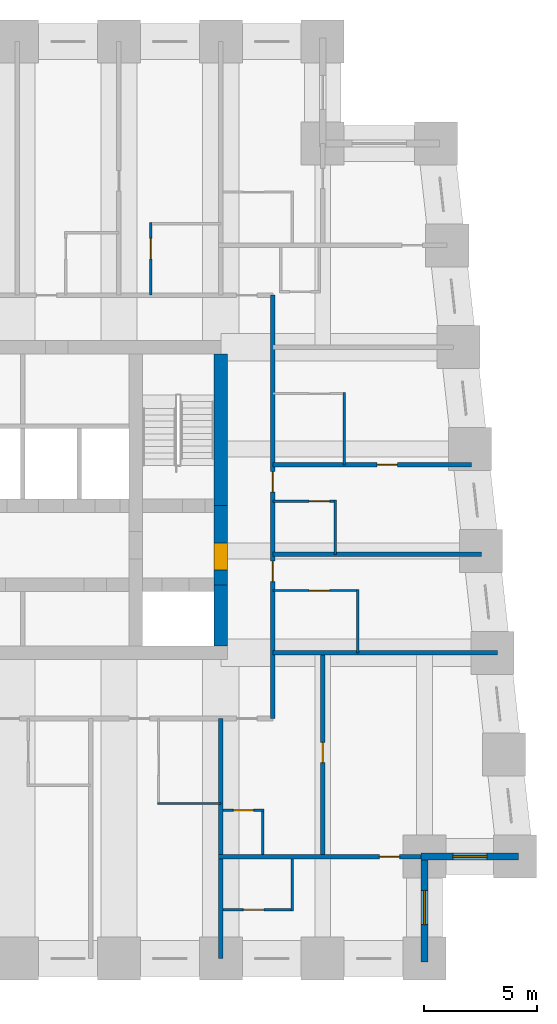
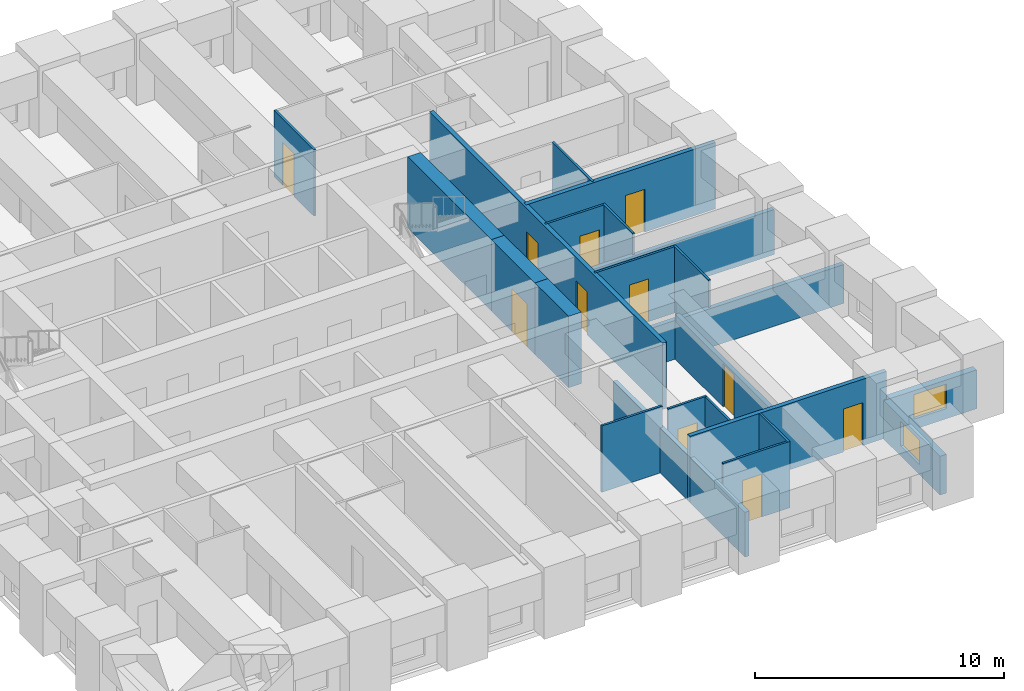
# One storey, part 5 of 8: 23 walls, 11 doors, 2 windows, 13 openings.
"""IFC4 building model written with IfcOpenShell, lengths in metres."""

from ifc_helpers import new_model, si_unit, direction, frame, frame_2d, origin, place, context, subcontext, project, spatial, rectangle, extrude, material, layer, layer_set, type_object, element, fill, save


model = new_model("IFC4")

# Units and contexts
model_context = context("Model", 3, precision=1e-05, world=origin(), true_north=direction((0.0, 1.0)))
body_context = subcontext(model_context, "Body", "Model", "MODEL_VIEW")
ifc_project = project(units=[si_unit("LENGTHUNIT", "METRE"), si_unit("AREAUNIT", "SQUARE_METRE"), si_unit("VOLUMEUNIT", "CUBIC_METRE"), si_unit("PLANEANGLEUNIT", "RADIAN"), si_unit("MASSUNIT", "GRAM", prefix="KILO")], contexts=[model_context])

# Site, building, storey
site_placement = place(None, origin())
site = spatial("IfcSite", under=ifc_project, at=site_placement, CompositionType="ELEMENT")
building_placement = place(site_placement, origin())
building = spatial("IfcBuilding", under=site, at=building_placement, Name="Kilele Tower Hotel", CompositionType="ELEMENT")
storey_placement = place(building_placement, frame((0.0, 0.0, 207.89990234375)))
storey = spatial("IfcBuildingStorey", under=building, at=storey_placement, Name="L54", CompositionType="ELEMENT", Elevation=207.89990234375)

# Walls
ifc_material_1 = material(Name="Moisture-resistant board")
ifc_layer_1 = layer(ifc_material_1, 0.10009765625)
ifc_layer_set_1 = layer_set([ifc_layer_1], Name="Moisture-resistant board")
wall_type_1 = type_object("IfcWallType", Name="Bathroom partition 100", PredefinedType="PLUMBINGWALL", material=ifc_layer_set_1)
for number, where, z_axis, x_axis, name in (
    (1, (33.199951171875, 6.85009765625, 0.0), (0.0, 0.0, 1.0), (1.0, 0.0, 0.0), "Bathroom partition 100 L54"),
    (2, (42.050048828125, 13.5, 0.0), (0.0, 0.0, 1.0), (0.0, 1.0, 0.0), "Bathroom partition 100 L54"),
):
    element("IfcWall", number, at=place(storey_placement, frame(where, z_axis=z_axis, x_axis=x_axis)), inside=storey, type_object=wall_type_1, Name=name, PredefinedType="PLUMBINGWALL", context=body_context, shape_type="SweptSolid", body=[
        extrude(rectangle(XDim=2.800048828125, YDim=0.10009765625, at=frame_2d((1.39990234375, 0.0))), origin(), (0.0, 0.0, 1.0), 3.25),
    ])

# Wall, opening, door
wall_1_placement = place(storey_placement, frame((38.300048828125, 16.25, 0.0), z_axis=(0.0, 0.0, 1.0), x_axis=(1.0, 0.0, 0.0)))
wall_1 = element("IfcWall", 3, at=wall_1_placement, inside=storey, type_object=wall_type_1, Name="Bathroom partition 100 L54", PredefinedType="PLUMBINGWALL", context=body_context, shape_type="SweptSolid", body=[
    extrude(rectangle(XDim=3.800048828125, YDim=0.10009765625, at=frame_2d((1.89990234375, 0.0))), origin(), (0.0, 0.0, 1.0), 3.25),
])
opening_1_placement = place(wall_1_placement, frame((1.60009765625, 0.0, 0.0)))
opening_1 = element("IfcOpeningElement", 4, at=opening_1_placement, cuts=wall_1, Name="Opening D2A", PredefinedType="OPENING", context=body_context, shape_type="SweptSolid", body=[
    extrude(rectangle(XDim=0.89990234375, YDim=2.10009765625, at=frame_2d((0.449951171875, 1.050048828125))), frame((0.0, 0.06005859375, 0.0), z_axis=(0.0, -1.0, 0.0), x_axis=(1.0, 0.0, 0.0)), (0.0, 0.0, 1.0), 0.1201171875),
])
ifc_material_2 = material(Name="Timber door leaf in hardwood frame", Category="wood")
door_type_1 = type_object("IfcDoorType", Name="Bathroom door 900", OperationType="SINGLE_SWING_LEFT", PredefinedType="DOOR", material=ifc_material_2)
door_1_placement = place(opening_1_placement, origin())
door_1 = element("IfcDoor", 5, at=door_1_placement, inside=storey, type_object=door_type_1, Name="Bathroom door 5406B", OperationType="SINGLE_SWING_LEFT", OverallHeight=2.10009765625, OverallWidth=0.89990234375, PredefinedType="DOOR", context=body_context, shape_type="SweptSolid", body=[
    extrude(rectangle(XDim=0.89990234375, YDim=2.10009765625, at=frame_2d((0.449951171875, 1.050048828125))), frame((0.0, 0.02490234375, 0.0), z_axis=(0.0, -1.0, 0.0), x_axis=(1.0, 0.0, 0.0)), (0.0, 0.0, 1.0), 0.050048828125),
])
fill(opening_1, door_1)

# Wall
wall_2_placement = place(storey_placement, frame((41.050048828125, 17.85009765625, 0.0), z_axis=(0.0, 0.0, 1.0), x_axis=(0.0, 1.0, 0.0)))
element("IfcWall", 6, at=wall_2_placement, inside=storey, type_object=wall_type_1, Name="Bathroom partition 100 L54", PredefinedType="PLUMBINGWALL", context=body_context, shape_type="SweptSolid", body=[
    extrude(rectangle(XDim=2.39990234375, YDim=0.10009765625, at=frame_2d((1.199951171875, 0.0))), origin(), (0.0, 0.0, 1.0), 3.25),
])

# Wall, opening, door
wall_3_placement = place(storey_placement, frame((38.300048828125, 20.199951171875, 0.0), z_axis=(0.0, 0.0, 1.0), x_axis=(1.0, 0.0, 0.0)))
wall_3 = element("IfcWall", 7, at=wall_3_placement, inside=storey, type_object=wall_type_1, Name="Bathroom partition 100 L54", PredefinedType="PLUMBINGWALL", context=body_context, shape_type="SweptSolid", body=[
    extrude(rectangle(XDim=2.800048828125, YDim=0.10009765625, at=frame_2d((1.39990234375, 0.0))), origin(), (0.0, 0.0, 1.0), 3.25),
])
opening_2_placement = place(wall_3_placement, frame((1.60009765625, 0.0, 0.0)))
opening_2 = element("IfcOpeningElement", 8, at=opening_2_placement, cuts=wall_3, Name="Opening D2A", PredefinedType="OPENING", context=body_context, shape_type="SweptSolid", body=[
    extrude(rectangle(XDim=0.89990234375, YDim=2.10009765625, at=frame_2d((0.449951171875, 1.050048828125))), frame((0.0, 0.06005859375, 0.0), z_axis=(0.0, -1.0, 0.0), x_axis=(1.0, 0.0, 0.0)), (0.0, 0.0, 1.0), 0.1201171875),
])
door_2_placement = place(opening_2_placement, origin())
door_2 = element("IfcDoor", 9, at=door_2_placement, inside=storey, type_object=door_type_1, Name="Bathroom door 5407B", OperationType="SINGLE_SWING_LEFT", OverallHeight=2.10009765625, OverallWidth=0.89990234375, PredefinedType="DOOR", context=body_context, shape_type="SweptSolid", body=[
    extrude(rectangle(XDim=0.89990234375, YDim=2.10009765625, at=frame_2d((0.449951171875, 1.050048828125))), frame((0.0, 0.02490234375, 0.0), z_axis=(0.0, -1.0, 0.0), x_axis=(1.0, 0.0, 0.0)), (0.0, 0.0, 1.0), 0.050048828125),
])
fill(opening_2, door_2)

# Wall
wall_4_placement = place(storey_placement, frame((41.449951171875, 21.800048828125, 0.0), z_axis=(0.0, 0.0, 1.0), x_axis=(0.0, 1.0, 0.0)))
element("IfcWall", 10, at=wall_4_placement, inside=storey, type_object=wall_type_1, Name="Bathroom partition 100 L54", PredefinedType="PLUMBINGWALL", context=body_context, shape_type="SweptSolid", body=[
    extrude(rectangle(XDim=3.199951171875, YDim=0.10009765625, at=frame_2d((1.60009765625, 0.0))), origin(), (0.0, 0.0, 1.0), 3.25),
])

# Wall, opening, door
wall_5_placement = place(storey_placement, frame((32.89990234375, 29.300048828125, 0.0), z_axis=(0.0, 0.0, 1.0), x_axis=(0.0, 1.0, 0.0)))
wall_5 = element("IfcWall", 11, at=wall_5_placement, inside=storey, type_object=wall_type_1, Name="Bathroom partition 100 L54", PredefinedType="PLUMBINGWALL", context=body_context, shape_type="SweptSolid", body=[
    extrude(rectangle(XDim=3.199951171875, YDim=0.10009765625, at=frame_2d((1.60009765625, 0.0))), origin(), (0.0, 0.0, 1.0), 3.25),
])
opening_3_placement = place(wall_5_placement, frame((1.60009765625, 0.0, 0.0)))
opening_3 = element("IfcOpeningElement", 12, at=opening_3_placement, cuts=wall_5, Name="Opening D2A", PredefinedType="OPENING", context=body_context, shape_type="SweptSolid", body=[
    extrude(rectangle(XDim=0.89990234375, YDim=2.10009765625, at=frame_2d((0.449951171875, 1.050048828125))), frame((0.0, 0.06005859375, 0.0), z_axis=(0.0, -1.0, 0.0), x_axis=(1.0, 0.0, 0.0)), (0.0, 0.0, 1.0), 0.1201171875),
])
door_3_placement = place(opening_3_placement, origin())
door_3 = element("IfcDoor", 13, at=door_3_placement, inside=storey, type_object=door_type_1, Name="Bathroom door 5413B", OperationType="SINGLE_SWING_LEFT", OverallHeight=2.10009765625, OverallWidth=0.89990234375, PredefinedType="DOOR", context=body_context, shape_type="SweptSolid", body=[
    extrude(rectangle(XDim=0.89990234375, YDim=2.10009765625, at=frame_2d((0.449951171875, 1.050048828125))), frame((0.0, 0.02490234375, 0.0), z_axis=(0.0, -1.0, 0.0), x_axis=(1.0, 0.0, 0.0)), (0.0, 0.0, 1.0), 0.050048828125),
])
fill(opening_3, door_3)

# Wall
wall_6_placement = place(storey_placement, frame((37.85009765625, 4.60009765625, 0.0), z_axis=(0.0, 0.0, 1.0), x_axis=(0.0, 1.0, 0.0)))
element("IfcWall", 14, at=wall_6_placement, inside=storey, type_object=wall_type_1, Name="Bathroom partition 100 L54", PredefinedType="PLUMBINGWALL", context=body_context, shape_type="SweptSolid", body=[
    extrude(rectangle(XDim=2.0, YDim=0.10009765625, at=frame_2d((1.0, 0.0))), origin(), (0.0, 0.0, 1.0), 3.25),
])

# Wall, opening, door
wall_7_placement = place(storey_placement, frame((36.10009765625, 6.550048828125, 0.0), z_axis=(0.0, 0.0, 1.0), x_axis=(1.0, 0.0, 0.0)))
wall_7 = element("IfcWall", 15, at=wall_7_placement, inside=storey, type_object=wall_type_1, Name="Bathroom partition 100 L54", PredefinedType="PLUMBINGWALL", context=body_context, shape_type="SweptSolid", body=[
    extrude(rectangle(XDim=1.7998046875, YDim=0.10009765625, at=frame_2d((0.89990234375, 0.0))), origin(), (0.0, 0.0, 1.0), 3.25),
])
opening_4_placement = place(wall_7_placement, frame((0.449951171875, 0.0, 0.0)))
opening_4 = element("IfcOpeningElement", 16, at=opening_4_placement, cuts=wall_7, Name="Opening D2A", PredefinedType="OPENING", context=body_context, shape_type="SweptSolid", body=[
    extrude(rectangle(XDim=0.89990234375, YDim=2.10009765625, at=frame_2d((0.449951171875, 1.050048828125))), frame((0.0, 0.06005859375, 0.0), z_axis=(0.0, -1.0, 0.0), x_axis=(1.0, 0.0, 0.0)), (0.0, 0.0, 1.0), 0.1201171875),
])
door_4_placement = place(opening_4_placement, origin())
door_4 = element("IfcDoor", 17, at=door_4_placement, inside=storey, type_object=door_type_1, Name="Bathroom door 5419P", OperationType="SINGLE_SWING_LEFT", OverallHeight=2.10009765625, OverallWidth=0.89990234375, PredefinedType="DOOR", context=body_context, shape_type="SweptSolid", body=[
    extrude(rectangle(XDim=0.89990234375, YDim=2.10009765625, at=frame_2d((0.449951171875, 1.050048828125))), frame((0.0, 0.02490234375, 0.0), z_axis=(0.0, -1.0, 0.0), x_axis=(1.0, 0.0, 0.0)), (0.0, 0.0, 1.0), 0.050048828125),
])
fill(opening_4, door_4)

# Wall
wall_8_placement = place(storey_placement, frame((39.14990234375, 4.39990234375, 0.0), z_axis=(0.0, 0.0, 1.0), x_axis=(0.0, -1.0, 0.0)))
element("IfcWall", 18, at=wall_8_placement, inside=storey, type_object=wall_type_1, Name="Bathroom partition 100 L54", PredefinedType="PLUMBINGWALL", context=body_context, shape_type="SweptSolid", body=[
    extrude(rectangle(XDim=2.2998046875, YDim=0.10009765625, at=frame_2d((1.14990234375, 0.0))), origin(), (0.0, 0.0, 1.0), 3.25),
])

# Wall, opening, door
wall_9_placement = place(storey_placement, frame((36.10009765625, 2.14990234375, 0.0), z_axis=(0.0, 0.0, 1.0), x_axis=(1.0, 0.0, 0.0)))
wall_9 = element("IfcWall", 19, at=wall_9_placement, inside=storey, type_object=wall_type_1, Name="Bathroom partition 100 L54", PredefinedType="PLUMBINGWALL", context=body_context, shape_type="SweptSolid", body=[
    extrude(rectangle(XDim=3.099853515625, YDim=0.10009765625, at=frame_2d((1.5498046875, 0.0))), origin(), (0.0, 0.0, 1.0), 3.25),
])
opening_5_placement = place(wall_9_placement, frame((1.7998046875, 0.0, 0.0), z_axis=(0.0, 0.0, 1.0), x_axis=(-1.0, 0.0, 0.0)))
opening_5 = element("IfcOpeningElement", 20, at=opening_5_placement, cuts=wall_9, Name="Opening D2A", PredefinedType="OPENING", context=body_context, shape_type="SweptSolid", body=[
    extrude(rectangle(XDim=0.89990234375, YDim=2.10009765625, at=frame_2d((0.449951171875, 1.050048828125))), frame((0.0, 0.06005859375, 0.0), z_axis=(0.0, -1.0, 0.0), x_axis=(1.0, 0.0, 0.0)), (0.0, 0.0, 1.0), 0.1201171875),
])
door_5_placement = place(opening_5_placement, origin())
door_5 = element("IfcDoor", 21, at=door_5_placement, inside=storey, type_object=door_type_1, Name="Bathroom door 5421B", OperationType="SINGLE_SWING_RIGHT", OverallHeight=2.10009765625, OverallWidth=0.89990234375, PredefinedType="DOOR", context=body_context, shape_type="SweptSolid", body=[
    extrude(rectangle(XDim=0.89990234375, YDim=2.10009765625, at=frame_2d((0.449951171875, 1.050048828125))), frame((0.0, 0.02490234375, 0.0), z_axis=(0.0, -1.0, 0.0), x_axis=(1.0, 0.0, 0.0)), (0.0, 0.0, 1.0), 0.050048828125),
])
fill(opening_5, door_5)

# Wall
ifc_material_3 = material(Name="Concrete C70/85", Category="concrete")
ifc_layer_2 = layer(ifc_material_3, 0.60009765625)
ifc_layer_set_2 = layer_set([ifc_layer_2], Name="Concrete C70/85")
wall_type_2 = type_object("IfcWallType", Name="Core wall 600 C70/85", PredefinedType="SHEAR", material=ifc_layer_set_2)
wall_10_placement = place(storey_placement, frame((36.0, 13.800048828125, 0.0), z_axis=(0.0, 0.0, 1.0), x_axis=(0.0, 1.0, 0.0)))
element("IfcWall", 22, at=wall_10_placement, inside=storey, type_object=wall_type_2, Name="Core wall E1 L54", PredefinedType="SHEAR", context=body_context, shape_type="SweptSolid", body=[
    extrude(rectangle(XDim=2.699951171875, YDim=0.60009765625, at=frame_2d((1.35009765625, 0.0))), origin(), (0.0, 0.0, 1.0), 3.5),
])

# Wall, opening, door
wall_11_placement = place(storey_placement, frame((36.0, 16.5, 0.0), z_axis=(0.0, 0.0, 1.0), x_axis=(0.0, 1.0, 0.0)))
wall_11 = element("IfcWall", 23, at=wall_11_placement, inside=storey, type_object=wall_type_2, Name="Core wall E2 L54", PredefinedType="SHEAR", context=body_context, shape_type="SweptSolid", body=[
    extrude(rectangle(XDim=3.5, YDim=0.60009765625, at=frame_2d((1.75, 0.0))), origin(), (0.0, 0.0, 1.0), 3.5),
])
opening_6_placement = place(wall_11_placement, frame((0.64990234375, 0.0, 0.0)))
opening_6 = element("IfcOpeningElement", 24, at=opening_6_placement, cuts=wall_11, Name="Opening D4", PredefinedType="OPENING", context=body_context, shape_type="SweptSolid", body=[
    extrude(rectangle(XDim=1.199951171875, YDim=2.10009765625, at=frame_2d((0.60009765625, 1.050048828125))), frame((0.0, 0.31005859375, 0.0), z_axis=(0.0, -1.0, 0.0), x_axis=(1.0, 0.0, 0.0)), (0.0, 0.0, 1.0), 0.6201171875),
])
ifc_material_4 = material(Name="Timber door leaf in hardwood frame", Category="wood")
door_type_2 = type_object("IfcDoorType", Name="Firefighting lobby door 1200", OperationType="SINGLE_SWING_LEFT", PredefinedType="DOOR", material=ifc_material_4)
door_6_placement = place(opening_6_placement, origin())
door_6 = element("IfcDoor", 25, at=door_6_placement, inside=storey, type_object=door_type_2, Name="Lobby door L54", OperationType="SINGLE_SWING_LEFT", OverallHeight=2.10009765625, OverallWidth=1.199951171875, PredefinedType="DOOR", context=body_context, shape_type="SweptSolid", body=[
    extrude(rectangle(XDim=1.199951171875, YDim=2.10009765625, at=frame_2d((0.60009765625, 1.050048828125))), frame((0.0, 0.2998046875, 0.0), z_axis=(0.0, -1.0, 0.0), x_axis=(1.0, 0.0, 0.0)), (0.0, 0.0, 1.0), 0.599609375),
])
fill(opening_6, door_6)

# Wall
wall_12_placement = place(storey_placement, frame((36.0, 20.0, 0.0), z_axis=(0.0, 0.0, 1.0), x_axis=(0.0, 1.0, 0.0)))
element("IfcWall", 26, at=wall_12_placement, inside=storey, type_object=wall_type_2, Name="Core wall E3 L54", PredefinedType="SHEAR", context=body_context, shape_type="SweptSolid", body=[
    extrude(rectangle(XDim=6.699951171875, YDim=0.60009765625, at=frame_2d((3.35009765625, 0.0))), origin(), (0.0, 0.0, 1.0), 3.5),
])

# Wall, openings, doors
ifc_material_5 = material(Name="Blockwork, plastered both sides", Category="masonry")
ifc_layer_3 = layer(ifc_material_5, 0.199951171875)
ifc_layer_set_3 = layer_set([ifc_layer_3], Name="Blockwork, plastered both sides")
wall_type_3 = type_object("IfcWallType", Name="Corridor wall 200", PredefinedType="PARTITIONING", material=ifc_layer_set_3)
wall_13_placement = place(storey_placement, frame((38.300048828125, 10.60009765625, 0.0), z_axis=(0.0, 0.0, 1.0), x_axis=(0.0, 1.0, 0.0)))
wall_13 = element("IfcWall", 27, at=wall_13_placement, inside=storey, type_object=wall_type_3, Name="Corridor wall 200 L54", PredefinedType="PARTITIONING", context=body_context, shape_type="SweptSolid", body=[
    extrude(rectangle(XDim=18.699951171875, YDim=0.199951171875, at=frame_2d((9.35009765625, 0.0))), origin(), (0.0, 0.0, 1.0), 3.25),
])
opening_7_placement = place(wall_13_placement, frame((6.949951171875, 0.0, 0.0), z_axis=(0.0, 0.0, 1.0), x_axis=(-1.0, 0.0, 0.0)))
opening_7 = element("IfcOpeningElement", 28, at=opening_7_placement, cuts=wall_13, Name="Opening D1", PredefinedType="OPENING", context=body_context, shape_type="SweptSolid", body=[
    extrude(rectangle(XDim=0.89990234375, YDim=2.10009765625, at=frame_2d((0.449951171875, 1.050048828125))), frame((0.0, 0.10986328125, 0.0), z_axis=(0.0, -1.0, 0.0), x_axis=(1.0, 0.0, 0.0)), (0.0, 0.0, 1.0), 0.219970703125),
])
opening_8_placement = place(wall_13_placement, frame((10.89990234375, 0.0, 0.0), z_axis=(0.0, 0.0, 1.0), x_axis=(-1.0, 0.0, 0.0)))
opening_8 = element("IfcOpeningElement", 29, at=opening_8_placement, cuts=wall_13, Name="Opening D1", PredefinedType="OPENING", context=body_context, shape_type="SweptSolid", body=[
    extrude(rectangle(XDim=0.89990234375, YDim=2.10009765625, at=frame_2d((0.449951171875, 1.050048828125))), frame((0.0, 0.10986328125, 0.0), z_axis=(0.0, -1.0, 0.0), x_axis=(1.0, 0.0, 0.0)), (0.0, 0.0, 1.0), 0.219970703125),
])
ifc_material_6 = material(Name="Timber door leaf in hardwood frame", Category="wood")
door_type_3 = type_object("IfcDoorType", Name="Guest room entrance door 900", OperationType="SINGLE_SWING_LEFT", PredefinedType="DOOR", material=ifc_material_6)
door_7_placement = place(opening_7_placement, origin())
door_7 = element("IfcDoor", 30, at=door_7_placement, inside=storey, type_object=door_type_3, Name="Room entrance 5406", OperationType="SINGLE_SWING_LEFT", OverallHeight=2.10009765625, OverallWidth=0.89990234375, PredefinedType="DOOR", context=body_context, shape_type="SweptSolid", body=[
    extrude(rectangle(XDim=0.89990234375, YDim=2.10009765625, at=frame_2d((0.449951171875, 1.050048828125))), frame((0.0, 0.02490234375, 0.0), z_axis=(0.0, -1.0, 0.0), x_axis=(1.0, 0.0, 0.0)), (0.0, 0.0, 1.0), 0.050048828125),
])
fill(opening_7, door_7)
door_8_placement = place(opening_8_placement, origin())
door_8 = element("IfcDoor", 31, at=door_8_placement, inside=storey, type_object=door_type_3, Name="Room entrance 5407", OperationType="SINGLE_SWING_LEFT", OverallHeight=2.10009765625, OverallWidth=0.89990234375, PredefinedType="DOOR", context=body_context, shape_type="SweptSolid", body=[
    extrude(rectangle(XDim=0.89990234375, YDim=2.10009765625, at=frame_2d((0.449951171875, 1.050048828125))), frame((0.0, 0.02490234375, 0.0), z_axis=(0.0, -1.0, 0.0), x_axis=(1.0, 0.0, 0.0)), (0.0, 0.0, 1.0), 0.050048828125),
])
fill(opening_8, door_8)

# Wall, opening, door
ifc_material_7 = material(Name="Blockwork, plastered both sides", Category="masonry")
ifc_layer_4 = layer(ifc_material_7, 0.199951171875)
ifc_layer_set_4 = layer_set([ifc_layer_4], Name="Blockwork, plastered both sides")
wall_type_4 = type_object("IfcWallType", Name="Partition wall 200", PredefinedType="PARTITIONING", material=ifc_layer_set_4)
wall_14_placement = place(storey_placement, frame((40.5, 4.60009765625, 0.0), z_axis=(0.0, 0.0, 1.0), x_axis=(0.0, 1.0, 0.0)))
wall_14 = element("IfcWall", 32, at=wall_14_placement, inside=storey, type_object=wall_type_4, Name="Partition wall 200 L54", PredefinedType="PARTITIONING", context=body_context, shape_type="SweptSolid", body=[
    extrude(rectangle(XDim=8.7998046875, YDim=0.199951171875, at=frame_2d((4.39990234375, 0.0))), origin(), (0.0, 0.0, 1.0), 2.2001953125),
])
opening_9_placement = place(wall_14_placement, frame((4.050048828125, 0.0, 0.0)))
opening_9 = element("IfcOpeningElement", 33, at=opening_9_placement, cuts=wall_14, Name="Opening D3", PredefinedType="OPENING", context=body_context, shape_type="SweptSolid", body=[
    extrude(rectangle(XDim=0.89990234375, YDim=2.10009765625, at=frame_2d((0.449951171875, 1.050048828125))), frame((0.0, 0.10986328125, 0.0), z_axis=(0.0, -1.0, 0.0), x_axis=(1.0, 0.0, 0.0)), (0.0, 0.0, 1.0), 0.219970703125),
])
ifc_material_8 = material(Name="Timber door leaf in hardwood frame", Category="wood")
door_type_4 = type_object("IfcDoorType", Name="Suite internal door 900", OperationType="SINGLE_SWING_LEFT", PredefinedType="DOOR", material=ifc_material_8)
door_9_placement = place(opening_9_placement, origin())
door_9 = element("IfcDoor", 34, at=door_9_placement, inside=storey, type_object=door_type_4, Name="Suite door 5420", OperationType="SINGLE_SWING_RIGHT", OverallHeight=2.10009765625, OverallWidth=0.89990234375, PredefinedType="DOOR", context=body_context, shape_type="SweptSolid", body=[
    extrude(rectangle(XDim=0.89990234375, YDim=2.10009765625, at=frame_2d((0.449951171875, 1.050048828125))), frame((0.0, 0.02490234375, 0.0), z_axis=(0.0, -1.0, 0.0), x_axis=(1.0, 0.0, 0.0)), (0.0, 0.0, 1.0), 0.050048828125),
])
fill(opening_9, door_9)

# Wall
ifc_material_9 = material(Name="Blockwork, plastered both sides", Category="masonry")
ifc_layer_5 = layer(ifc_material_9, 0.199951171875)
ifc_layer_set_5 = layer_set([ifc_layer_5], Name="Blockwork, plastered both sides")
wall_type_5 = type_object("IfcWallType", Name="Party wall 200", PredefinedType="PARTITIONING", material=ifc_layer_set_5)
wall_15_placement = place(storey_placement, frame((38.300048828125, 17.85009765625, 0.0), z_axis=(0.0, 0.0, 1.0), x_axis=(1.0, 0.0, 0.0)))
element("IfcWall", 35, at=wall_15_placement, inside=storey, type_object=wall_type_5, Name="Party wall 200 L54", PredefinedType="PARTITIONING", context=body_context, shape_type="SweptSolid", body=[
    extrude(rectangle(XDim=9.215576171875, YDim=0.199951171875, at=frame_2d((4.60791015625, 0.0))), origin(), (0.0, 0.0, 1.0), 2.2001953125),
])

# Wall, opening, door
wall_16_placement = place(storey_placement, frame((38.300048828125, 21.800048828125, 0.0), z_axis=(0.0, 0.0, 1.0), x_axis=(1.0, 0.0, 0.0)))
wall_16 = element("IfcWall", 36, at=wall_16_placement, inside=storey, type_object=wall_type_5, Name="Party wall 200 L54", PredefinedType="PARTITIONING", context=body_context, shape_type="SweptSolid", body=[
    extrude(rectangle(XDim=8.77685546875, YDim=0.199951171875, at=frame_2d((4.388427734375, 0.0))), origin(), (0.0, 0.0, 1.0), 3.25),
])
opening_10_placement = place(wall_16_placement, frame((4.60009765625, 0.0, 0.0)))
opening_10 = element("IfcOpeningElement", 37, at=opening_10_placement, cuts=wall_16, Name="Opening D3", PredefinedType="OPENING", context=body_context, shape_type="SweptSolid", body=[
    extrude(rectangle(XDim=0.89990234375, YDim=2.10009765625, at=frame_2d((0.449951171875, 1.050048828125))), frame((0.0, 0.10986328125, 0.0), z_axis=(0.0, -1.0, 0.0), x_axis=(1.0, 0.0, 0.0)), (0.0, 0.0, 1.0), 0.219970703125),
])
door_10_placement = place(opening_10_placement, origin())
door_10 = element("IfcDoor", 38, at=door_10_placement, inside=storey, type_object=door_type_4, Name="Suite door 5408", OperationType="SINGLE_SWING_LEFT", OverallHeight=2.10009765625, OverallWidth=0.89990234375, PredefinedType="DOOR", context=body_context, shape_type="SweptSolid", body=[
    extrude(rectangle(XDim=0.89990234375, YDim=2.10009765625, at=frame_2d((0.449951171875, 1.050048828125))), frame((0.0, 0.02490234375, 0.0), z_axis=(0.0, -1.0, 0.0), x_axis=(1.0, 0.0, 0.0)), (0.0, 0.0, 1.0), 0.050048828125),
])
fill(opening_10, door_10)

# Walls
wall_17_placement = place(storey_placement, frame((38.300048828125, 13.5, 0.0), z_axis=(0.0, 0.0, 1.0), x_axis=(1.0, 0.0, 0.0)))
element("IfcWall", 39, at=wall_17_placement, inside=storey, type_object=wall_type_5, Name="Party wall 200 L54", PredefinedType="PARTITIONING", context=body_context, shape_type="SweptSolid", body=[
    extrude(rectangle(XDim=9.921142578125, YDim=0.199951171875, at=frame_2d((4.96044921875, 0.0))), origin(), (0.0, 0.0, 1.0), 1.900146484375),
])
wall_18_placement = place(storey_placement, frame((36.0, 10.60009765625, 0.0), z_axis=(0.0, 0.0, 1.0), x_axis=(0.0, -1.0, 0.0)))
element("IfcWall", 40, at=wall_18_placement, inside=storey, type_object=wall_type_5, Name="Party wall 200 L54", PredefinedType="PARTITIONING", context=body_context, shape_type="SweptSolid", body=[
    extrude(rectangle(XDim=10.60009765625, YDim=0.199951171875, at=frame_2d((5.300048828125, 0.0))), origin(), (0.0, 0.0, 1.0), 2.2001953125),
])

# Wall, opening, door
wall_19_placement = place(storey_placement, frame((35.89990234375, 4.5, 0.0), z_axis=(0.0, 0.0, 1.0), x_axis=(1.0, 0.0, 0.0)))
wall_19 = element("IfcWall", 41, at=wall_19_placement, inside=storey, type_object=wall_type_5, Name="Party wall 200 L54", PredefinedType="PARTITIONING", context=body_context, shape_type="SweptSolid", body=[
    extrude(rectangle(XDim=9.10009765625, YDim=0.199951171875, at=frame_2d((4.550048828125, 0.0))), origin(), (0.0, 0.0, 1.0), 3.25),
])
opening_11_placement = place(wall_19_placement, frame((7.10009765625, 0.0, 0.0)))
opening_11 = element("IfcOpeningElement", 42, at=opening_11_placement, cuts=wall_19, Name="Opening D3", PredefinedType="OPENING", context=body_context, shape_type="SweptSolid", body=[
    extrude(rectangle(XDim=0.89990234375, YDim=2.10009765625, at=frame_2d((0.449951171875, 1.050048828125))), frame((0.0, 0.10986328125, 0.0), z_axis=(0.0, -1.0, 0.0), x_axis=(1.0, 0.0, 0.0)), (0.0, 0.0, 1.0), 0.219970703125),
])
door_11_placement = place(opening_11_placement, origin())
door_11 = element("IfcDoor", 43, at=door_11_placement, inside=storey, type_object=door_type_4, Name="Suite door 5421", OperationType="SINGLE_SWING_RIGHT", OverallHeight=2.10009765625, OverallWidth=0.89990234375, PredefinedType="DOOR", context=body_context, shape_type="SweptSolid", body=[
    extrude(rectangle(XDim=0.89990234375, YDim=2.10009765625, at=frame_2d((0.449951171875, 1.050048828125))), frame((0.0, 0.02490234375, 0.0), z_axis=(0.0, -1.0, 0.0), x_axis=(1.0, 0.0, 0.0)), (0.0, 0.0, 1.0), 0.050048828125),
])
fill(opening_11, door_11)

# Wall, opening, window
ifc_material_10 = material(Name="Concrete C40/50 precast", Category="concrete")
ifc_layer_6 = layer(ifc_material_10, 0.260009765625, Name="Precast backing", Category="LoadBearing")
ifc_material_11 = material(Name="Reconstituted stone finish", Category="masonry")
ifc_layer_7 = layer(ifc_material_11, 0.0400390625, Name="Face mix", Category="Finish")
ifc_layer_set_6 = layer_set([ifc_layer_6, ifc_layer_7], Name="Precast concrete C40/50, reconstituted stone finish")
wall_type_6 = type_object("IfcWallType", Name="Precast stone facade wall 300", PredefinedType="STANDARD", material=ifc_layer_set_6)
wall_20_placement = place(storey_placement, frame((45.0, -0.14990234375, 0.0), z_axis=(0.0, 0.0, 1.0), x_axis=(0.0, 1.0, 0.0)))
wall_20 = element("IfcWall", 44, at=wall_20_placement, inside=storey, type_object=wall_type_6, Name="Facade wall L54 edge 4", PredefinedType="STANDARD", context=body_context, shape_type="SweptSolid", body=[
    extrude(rectangle(XDim=4.7998046875, YDim=0.300048828125, at=frame_2d((2.39990234375, 0.0))), origin(), (0.0, 0.0, 1.0), 1.900146484375),
])
opening_12_placement = place(wall_20_placement, frame((1.64990234375, 0.0, 0.5)))
opening_12 = element("IfcOpeningElement", 45, at=opening_12_placement, cuts=wall_20, Name="Opening W3", PredefinedType="OPENING", context=body_context, shape_type="SweptSolid", body=[
    extrude(rectangle(XDim=1.5, YDim=1.199951171875, at=frame_2d((0.75, 0.60009765625))), frame((0.0, 0.159912109375, 0.0), z_axis=(0.0, -1.0, 0.0), x_axis=(1.0, 0.0, 0.0)), (0.0, 0.0, 1.0), 0.320068359375),
])
ifc_material_12 = material(Name="Aluminium frame, clear double glazing", Category="aluminium")
window_type = type_object("IfcWindowType", Name="Window W3 1500 x 1200", PartitioningType="SINGLE_PANEL", PredefinedType="WINDOW", material=ifc_material_12)
window_1_placement = place(opening_12_placement, origin())
window_1 = element("IfcWindow", 46, at=window_1_placement, inside=storey, type_object=window_type, Name="Window L54", OverallHeight=1.199951171875, OverallWidth=1.5, PartitioningType="SINGLE_PANEL", PredefinedType="WINDOW", context=body_context, shape_type="SweptSolid", body=[
    extrude(rectangle(XDim=1.5, YDim=1.199951171875, at=frame_2d((0.75, 0.60009765625))), frame((0.0, 0.030029296875, 0.0), z_axis=(0.0, -1.0, 0.0), x_axis=(1.0, 0.0, 0.0)), (0.0, 0.0, 1.0), 0.06005859375),
])
fill(opening_12, window_1)

wall_21_placement = place(storey_placement, frame((44.85009765625, 4.5, 0.0), z_axis=(0.0, 0.0, 1.0), x_axis=(1.0, 0.0, 0.0)))
wall_21 = element("IfcWall", 47, at=wall_21_placement, inside=storey, type_object=wall_type_6, Name="Facade wall L54 edge 5", PredefinedType="STANDARD", context=body_context, shape_type="SweptSolid", body=[
    extrude(rectangle(XDim=4.2998046875, YDim=0.300048828125, at=frame_2d((2.14990234375, 0.0))), origin(), (0.0, 0.0, 1.0), 1.900146484375),
])
opening_13_placement = place(wall_21_placement, frame((1.39990234375, 0.0, 0.5)))
opening_13 = element("IfcOpeningElement", 48, at=opening_13_placement, cuts=wall_21, Name="Opening W3", PredefinedType="OPENING", context=body_context, shape_type="SweptSolid", body=[
    extrude(rectangle(XDim=1.5, YDim=1.199951171875, at=frame_2d((0.75, 0.60009765625))), frame((0.0, 0.159912109375, 0.0), z_axis=(0.0, -1.0, 0.0), x_axis=(1.0, 0.0, 0.0)), (0.0, 0.0, 1.0), 0.320068359375),
])
window_2_placement = place(opening_13_placement, origin())
window_2 = element("IfcWindow", 49, at=window_2_placement, inside=storey, type_object=window_type, Name="Window L54", OverallHeight=1.199951171875, OverallWidth=1.5, PartitioningType="SINGLE_PANEL", PredefinedType="WINDOW", context=body_context, shape_type="SweptSolid", body=[
    extrude(rectangle(XDim=1.5, YDim=1.199951171875, at=frame_2d((0.75, 0.60009765625))), frame((0.0, 0.030029296875, 0.0), z_axis=(0.0, -1.0, 0.0), x_axis=(1.0, 0.0, 0.0)), (0.0, 0.0, 1.0), 0.06005859375),
])
fill(opening_13, window_2)

save(model, "model.ifc")
